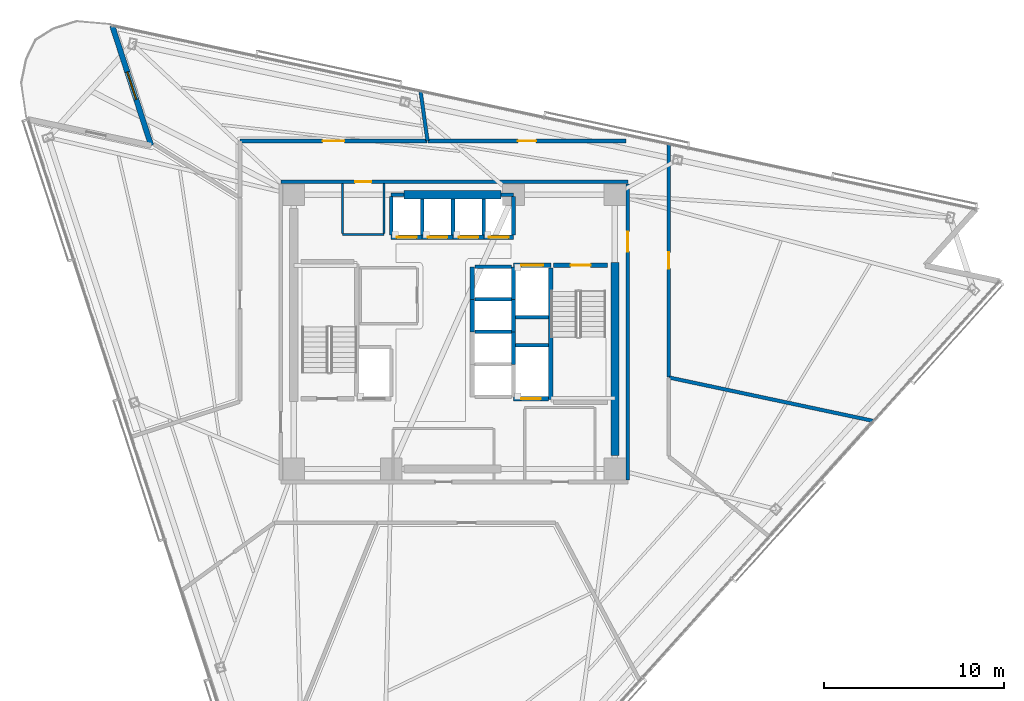
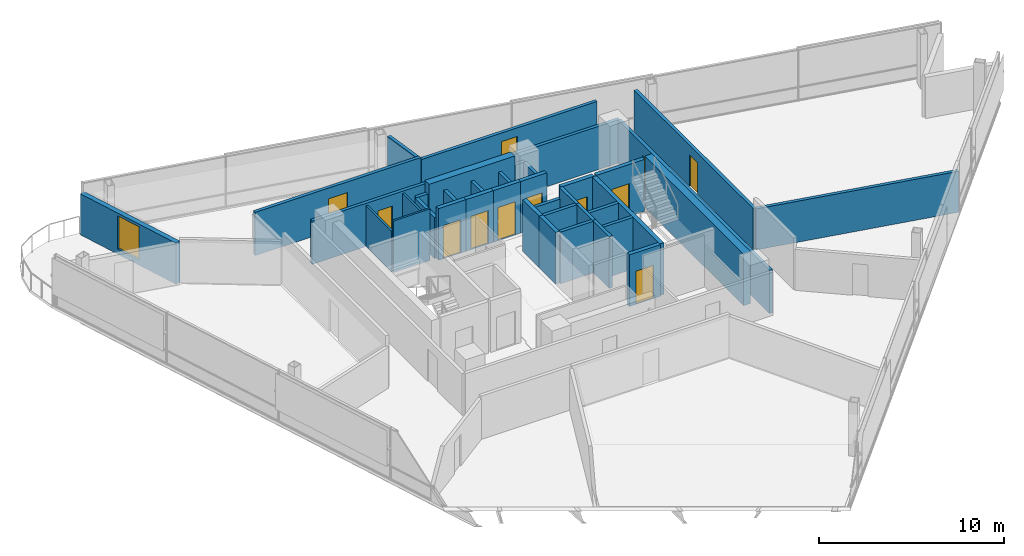
# One storey, part 11 of 17: 38 walls, 12 doors, 1 window, 13 openings.
"""IFC4 building model written with IfcOpenShell, lengths in metres."""

from ifc_helpers import new_model, si_unit, direction, frame, frame_2d, origin, place, context, subcontext, project, spatial, rectangle, extrude, material, layer, layer_set, type_object, element, fill, save


model = new_model("IFC4")

# Units and contexts
model_context = context("Model", 3, precision=1e-05, world=origin(), true_north=direction((0.0, 1.0)))
body_context = subcontext(model_context, "Body", "Model", "MODEL_VIEW")
ifc_project = project(units=[si_unit("LENGTHUNIT", "METRE"), si_unit("AREAUNIT", "SQUARE_METRE"), si_unit("VOLUMEUNIT", "CUBIC_METRE"), si_unit("PLANEANGLEUNIT", "RADIAN"), si_unit("MASSUNIT", "GRAM", prefix="KILO")], contexts=[model_context])

# Site, building, storey
site_placement = place(None, origin())
site = spatial("IfcSite", under=ifc_project, at=site_placement, CompositionType="ELEMENT")
building_placement = place(site_placement, origin())
building = spatial("IfcBuilding", under=site, at=building_placement, Name="Tharavind Bronze Gate", CompositionType="ELEMENT")
storey_placement = place(building_placement, frame((0.0, 0.0, 200.449951171875)))
storey = spatial("IfcBuildingStorey", under=building, at=storey_placement, Name="L51", CompositionType="ELEMENT", Elevation=200.449951171875)

# Wall, opening, window
ifc_material_1 = material(Name="Concrete C40/50", Category="concrete")
ifc_layer_1 = layer(ifc_material_1, 0.300048828125)
ifc_layer_set_1 = layer_set([ifc_layer_1], Name="Concrete C40/50")
wall_type_1 = type_object("IfcWallType", Name="EXTERIOR SPANDREL WALL 300", PredefinedType="STANDARD", material=ifc_layer_set_1)
wall_1_placement = place(storey_placement, frame((-18.959716796875, 16.967529296875, 0.0), z_axis=(0.0, 0.0, 1.0), x_axis=(0.309030708092, -0.951052060329, 0.0)))
wall_1 = element("IfcWall", 1, at=wall_1_placement, inside=storey, type_object=wall_type_1, Name="L51 notch cheek wall 1A", PredefinedType="STANDARD", context=body_context, shape_type="SweptSolid", body=[
    extrude(rectangle(XDim=6.979736328125, YDim=0.300048828125, at=frame_2d((3.48974609375, 0.0))), origin(), (0.0, 0.0, 1.0), 2.715087890625),
])
opening_1_placement = place(wall_1_placement, frame((2.68994140625, 0.0, 0.3349609375)))
opening_1 = element("IfcOpeningElement", 2, at=opening_1_placement, cuts=wall_1, Name="Opening W05", PredefinedType="OPENING", context=body_context, shape_type="SweptSolid", body=[
    extrude(rectangle(XDim=1.60009765625, YDim=2.199951171875, at=frame_2d((0.800048828125, 1.10009765625))), frame((0.0, 0.15990234375, 0.0), z_axis=(0.0, -1.0, 0.0), x_axis=(1.0, 0.0, 0.0)), (0.0, 0.0, 1.0), 0.320048828125),
])
ifc_material_2 = material(Name="Bronze Aluminium & Low-E Glass", Category="aluminium")
window_type = type_object("IfcWindowType", Name="OFFICE NOTCH BRONZE WINDOW 1600X2200", PartitioningType="DOUBLE_PANEL_VERTICAL", PredefinedType="WINDOW", material=ifc_material_2)
window_placement = place(opening_1_placement, origin())
window = element("IfcWindow", 3, at=window_placement, inside=storey, type_object=window_type, Name="L51 exterior window WL-L51-NCA1-01", OverallHeight=2.199951171875, OverallWidth=1.60009765625, PartitioningType="SINGLE_PANEL", PredefinedType="WINDOW", context=body_context, shape_type="SweptSolid", body=[
    extrude(rectangle(XDim=1.60009765625, YDim=2.199951171875, at=frame_2d((0.800048828125, 1.10009765625))), frame((0.0, 0.030029296875, 0.0), z_axis=(0.0, -1.0, 0.0), x_axis=(1.0, 0.0, 0.0)), (0.0, 0.0, 1.0), 0.06005859375),
])
fill(opening_1, window)

# Wall, opening, door
ifc_material_3 = material(Name="Aerated Concrete Block", Category="concrete")
ifc_layer_2 = layer(ifc_material_3, 0.199951171875)
ifc_layer_set_2 = layer_set([ifc_layer_2], Name="Aerated Concrete Block")
wall_type_2 = type_object("IfcWallType", Name="FIRE RATED PARTITION 200", PredefinedType="PARTITIONING", material=ifc_layer_set_2)
wall_2_placement = place(storey_placement, frame((9.6201171875, 8.320068359375, 0.0), z_axis=(0.0, 0.0, 1.0), x_axis=(-1.0, 0.0, 0.0)))
wall_2 = element("IfcWall", 4, at=wall_2_placement, inside=storey, type_object=wall_type_2, Name="L51 north core corridor wall", PredefinedType="PARTITIONING", context=body_context, shape_type="SweptSolid", body=[
    extrude(rectangle(XDim=19.240234375, YDim=0.199951171875, at=frame_2d((9.6201171875, 0.0))), origin(), (0.0, 0.0, 1.0), 2.864990234375),
])
opening_2_placement = place(wall_2_placement, frame((14.219970703125, 0.0, 0.0)))
opening_2 = element("IfcOpeningElement", 5, at=opening_2_placement, cuts=wall_2, Name="Opening ID07", PredefinedType="OPENING", context=body_context, shape_type="SweptSolid", body=[
    extrude(rectangle(XDim=0.89990234375, YDim=2.10009765625, at=frame_2d((0.449951171875, 1.050048828125))), frame((0.0, 0.11009765625, 0.0), z_axis=(0.0, -1.0, 0.0), x_axis=(1.0, 0.0, 0.0)), (0.0, 0.0, 1.0), 0.219951171875),
])
ifc_material_4 = material(Name="Galvanised Fire Steel", Category="steel")
door_type_1 = type_object("IfcDoorType", Name="PLANT AND RISER FIRE DOOR 900X2100", OperationType="SINGLE_SWING_LEFT", PredefinedType="DOOR", material=ifc_material_4)
door_1_placement = place(opening_2_placement, origin())
door_1 = element("IfcDoor", 6, at=door_1_placement, inside=storey, type_object=door_type_1, Name="L51 Electrical Switch Cupboard fire door", OperationType="SINGLE_SWING_LEFT", OverallHeight=2.10009765625, OverallWidth=0.89990234375, PredefinedType="DOOR", context=body_context, shape_type="SweptSolid", body=[
    extrude(rectangle(XDim=0.89990234375, YDim=2.10009765625, at=frame_2d((0.449951171875, 1.050048828125))), frame((0.0, 0.02490234375, 0.0), z_axis=(0.0, -1.0, 0.0), x_axis=(1.0, 0.0, 0.0)), (0.0, 0.0, 1.0), 0.050048828125),
])
fill(opening_2, door_1)

wall_3_placement = place(storey_placement, frame((9.6201171875, -8.199951171875, 0.0), z_axis=(0.0, 0.0, 1.0), x_axis=(0.0, 1.0, 0.0)))
wall_3 = element("IfcWall", 7, at=wall_3_placement, inside=storey, type_object=wall_type_2, Name="L51 east core corridor wall", PredefinedType="PARTITIONING", context=body_context, shape_type="SweptSolid", body=[
    extrude(rectangle(XDim=16.39990234375, YDim=0.199951171875, at=frame_2d((8.199951171875, 0.0))), origin(), (0.0, 0.0, 1.0), 2.864990234375),
])
opening_3_placement = place(wall_3_placement, frame((12.64990234375, 0.0, 0.0)))
opening_3 = element("IfcOpeningElement", 8, at=opening_3_placement, cuts=wall_3, Name="Opening ID01", PredefinedType="OPENING", context=body_context, shape_type="SweptSolid", body=[
    extrude(rectangle(XDim=1.10009765625, YDim=2.14990234375, at=frame_2d((0.550048828125, 1.074951171875))), frame((0.0, 0.11009765625, 0.0), z_axis=(0.0, -1.0, 0.0), x_axis=(1.0, 0.0, 0.0)), (0.0, 0.0, 1.0), 0.219951171875),
])
ifc_material_5 = material(Name="Fire-Rated Steel", Category="steel")
door_type_2 = type_object("IfcDoorType", Name="STAIR CORE FIRE DOOR 1100X2150", OperationType="SINGLE_SWING_LEFT", PredefinedType="DOOR", material=ifc_material_5)
door_2_placement = place(opening_3_placement, frame((1.10009765625, 0.0, 0.0), z_axis=(0.0, 0.0, 1.0), x_axis=(-1.0, 0.0, 0.0)))
door_2 = element("IfcDoor", 9, at=door_2_placement, inside=storey, type_object=door_type_2, Name="L51 north east stair lobby fire door", OperationType="SINGLE_SWING_LEFT", OverallHeight=2.14990234375, OverallWidth=1.10009765625, PredefinedType="DOOR", context=body_context, shape_type="SweptSolid", body=[
    extrude(rectangle(XDim=1.10009765625, YDim=2.14990234375, at=frame_2d((0.550048828125, 1.074951171875))), frame((0.0, 0.02490234375, 0.0), z_axis=(0.0, -1.0, 0.0), x_axis=(1.0, 0.0, 0.0)), (0.0, 0.0, 1.0), 0.050048828125),
])
fill(opening_3, door_2)

# Wall
wall_4_placement = place(storey_placement, frame((11.91015625, -2.531494140625, 0.0), z_axis=(0.0, 0.0, 1.0), x_axis=(0.978148872081, -0.207905709508, 0.0)))
element("IfcWall", 10, at=wall_4_placement, inside=storey, type_object=wall_type_2, Name="L51 Public Restrooms Block partition", PredefinedType="PARTITIONING", context=body_context, shape_type="SweptSolid", body=[
    extrude(rectangle(XDim=11.566650390625, YDim=0.199951171875, at=frame_2d((5.783203125, 0.0))), origin(), (0.0, 0.0, 1.0), 2.715087890625),
])

# Wall, opening, door
wall_5_placement = place(storey_placement, frame((9.51513671875, 10.580078125, 0.0), z_axis=(0.0, 0.0, 1.0), x_axis=(-1.0, 0.0, 0.0)))
wall_5 = element("IfcWall", 11, at=wall_5_placement, inside=storey, type_object=wall_type_2, Name="L51 Upper Zone Open Office partition", PredefinedType="PARTITIONING", context=body_context, shape_type="SweptSolid", body=[
    extrude(rectangle(XDim=10.980224609375, YDim=0.199951171875, at=frame_2d((5.490234375, 0.0))), origin(), (0.0, 0.0, 1.0), 2.715087890625),
])
opening_4_placement = place(wall_5_placement, frame((4.989990234375, 0.0, 0.0)))
opening_4 = element("IfcOpeningElement", 12, at=opening_4_placement, cuts=wall_5, Name="Opening ID04", PredefinedType="OPENING", context=body_context, shape_type="SweptSolid", body=[
    extrude(rectangle(XDim=1.0, YDim=2.14990234375, at=frame_2d((0.5, 1.074951171875))), frame((0.0, 0.11009765625, 0.0), z_axis=(0.0, -1.0, 0.0), x_axis=(1.0, 0.0, 0.0)), (0.0, 0.0, 1.0), 0.219951171875),
])
ifc_material_6 = material(Name="Bronze Framed Acoustic Timber", Category="wood")
door_type_3 = type_object("IfcDoorType", Name="OFFICE TENANCY DOOR 1000X2150", OperationType="SINGLE_SWING_RIGHT", PredefinedType="DOOR", material=ifc_material_6)
door_3_placement = place(opening_4_placement, origin())
door_3 = element("IfcDoor", 13, at=door_3_placement, inside=storey, type_object=door_type_3, Name="L51 Upper Zone Open Office door", OperationType="SINGLE_SWING_RIGHT", OverallHeight=2.14990234375, OverallWidth=1.0, PredefinedType="DOOR", context=body_context, shape_type="SweptSolid", body=[
    extrude(rectangle(XDim=1.0, YDim=2.14990234375, at=frame_2d((0.5, 1.074951171875))), frame((0.0, 0.02490234375, 0.0), z_axis=(0.0, -1.0, 0.0), x_axis=(1.0, 0.0, 0.0)), (0.0, 0.0, 1.0), 0.050048828125),
])
fill(opening_4, door_3)

# Wall
wall_6_placement = place(storey_placement, frame((-1.489990234375, 10.6015625, 0.0), z_axis=(0.0, 0.0, 1.0), x_axis=(-0.139168128583, 0.990268767551, 0.0)))
element("IfcWall", 14, at=wall_6_placement, inside=storey, type_object=wall_type_2, Name="L51 Upper Zone Open Office partition", PredefinedType="PARTITIONING", context=body_context, shape_type="SweptSolid", body=[
    extrude(rectangle(XDim=2.76123046875, YDim=0.199951171875, at=frame_2d((1.380615234375, 0.0))), origin(), (0.0, 0.0, 1.0), 2.715087890625),
])

# Wall, opening, door
wall_7_placement = place(storey_placement, frame((-1.515625, 10.580078125, 0.0), z_axis=(0.0, 0.0, 1.0), x_axis=(-1.0, 0.0, 0.0)))
wall_7 = element("IfcWall", 15, at=wall_7_placement, inside=storey, type_object=wall_type_2, Name="L51 Panoramic Boardroom partition", PredefinedType="PARTITIONING", context=body_context, shape_type="SweptSolid", body=[
    extrude(rectangle(XDim=10.36376953125, YDim=0.199951171875, at=frame_2d((5.181884765625, 0.0))), origin(), (0.0, 0.0, 1.0), 2.864990234375),
])
opening_5_placement = place(wall_7_placement, frame((4.58203125, 0.0, 0.0)))
opening_5 = element("IfcOpeningElement", 16, at=opening_5_placement, cuts=wall_7, Name="Opening ID05", PredefinedType="OPENING", context=body_context, shape_type="SweptSolid", body=[
    extrude(rectangle(XDim=1.199951171875, YDim=2.14990234375, at=frame_2d((0.60009765625, 1.074951171875))), frame((0.0, 0.11009765625, 0.0), z_axis=(0.0, -1.0, 0.0), x_axis=(1.0, 0.0, 0.0)), (0.0, 0.0, 1.0), 0.219951171875),
])
ifc_material_7 = material(Name="Acoustic Laminated Glass", Category="glass")
door_type_4 = type_object("IfcDoorType", Name="MEETING ROOM GLAZED DOOR 1200X2150", OperationType="SINGLE_SWING_LEFT", PredefinedType="DOOR", material=ifc_material_7)
door_4_placement = place(opening_5_placement, origin())
door_4 = element("IfcDoor", 17, at=door_4_placement, inside=storey, type_object=door_type_4, Name="L51 Panoramic Boardroom door", OperationType="SINGLE_SWING_LEFT", OverallHeight=2.14990234375, OverallWidth=1.199951171875, PredefinedType="DOOR", context=body_context, shape_type="SweptSolid", body=[
    extrude(rectangle(XDim=1.199951171875, YDim=2.14990234375, at=frame_2d((0.60009765625, 1.074951171875))), frame((0.0, 0.02490234375, 0.0), z_axis=(0.0, -1.0, 0.0), x_axis=(1.0, 0.0, 0.0)), (0.0, 0.0, 1.0), 0.050048828125),
])
fill(opening_5, door_4)

wall_8_placement = place(storey_placement, frame((11.8798828125, -2.5048828125, 0.0), z_axis=(0.0, 0.0, 1.0), x_axis=(0.0, 1.0, 0.0)))
wall_8 = element("IfcWall", 18, at=wall_8_placement, inside=storey, type_object=wall_type_2, Name="L51 Tea Pantry partition", PredefinedType="PARTITIONING", context=body_context, shape_type="SweptSolid", body=[
    extrude(rectangle(XDim=12.917236328125, YDim=0.199951171875, at=frame_2d((6.45849609375, 0.0))), origin(), (0.0, 0.0, 1.0), 2.715087890625),
])
opening_6_placement = place(wall_8_placement, frame((6.009033203125, 0.0, 0.0)))
opening_6 = element("IfcOpeningElement", 19, at=opening_6_placement, cuts=wall_8, Name="Opening ID07", PredefinedType="OPENING", context=body_context, shape_type="SweptSolid", body=[
    extrude(rectangle(XDim=0.89990234375, YDim=2.10009765625, at=frame_2d((0.449951171875, 1.050048828125))), frame((0.0, 0.11009765625, 0.0), z_axis=(0.0, -1.0, 0.0), x_axis=(1.0, 0.0, 0.0)), (0.0, 0.0, 1.0), 0.219951171875),
])
door_5_placement = place(opening_6_placement, origin())
door_5 = element("IfcDoor", 20, at=door_5_placement, inside=storey, type_object=door_type_1, Name="L51 Tea Pantry door", OperationType="SINGLE_SWING_LEFT", OverallHeight=2.10009765625, OverallWidth=0.89990234375, PredefinedType="DOOR", context=body_context, shape_type="SweptSolid", body=[
    extrude(rectangle(XDim=0.89990234375, YDim=2.10009765625, at=frame_2d((0.449951171875, 1.050048828125))), frame((0.0, 0.02490234375, 0.0), z_axis=(0.0, -1.0, 0.0), x_axis=(1.0, 0.0, 0.0)), (0.0, 0.0, 1.0), 0.050048828125),
])
fill(opening_6, door_5)

# Walls
ifc_material_8 = material(Name="Metal Stud Gypsum Partition", Category="gypsum")
ifc_layer_3 = layer(ifc_material_8, 0.1201171875)
ifc_layer_set_3 = layer_set([ifc_layer_3], Name="Metal Stud Gypsum Partition")
wall_type_3 = type_object("IfcWallType", Name="INTERIOR PARTITION WALL 120", PredefinedType="PARTITIONING", material=ifc_layer_set_3)
wall_9_placement = place(storey_placement, frame((-6.199951171875, 5.39990234375, 0.0), z_axis=(0.0, 0.0, 1.0), x_axis=(1.0, 0.0, 0.0)))
element("IfcWall", 21, at=wall_9_placement, inside=storey, type_object=wall_type_3, Name="L51 Electrical Switch Cupboard partition 1", PredefinedType="PARTITIONING", context=body_context, shape_type="SweptSolid", body=[
    extrude(rectangle(XDim=2.300048828125, YDim=0.1201171875, at=frame_2d((1.14990234375, 0.0))), origin(), (0.0, 0.0, 1.0), 3.420166015625),
])
for number, where, z_axis, x_axis, name in (
    (22, (-3.89990234375, 5.465087890625, 0.0), (0.0, 0.0, 1.0), (0.0, 1.0, 0.0), "L51 Electrical Switch Cupboard partition 2"),
    (23, (-6.199951171875, 8.215087890625, 0.0), (0.0, 0.0, 1.0), (0.0, -1.0, 0.0), "L51 Electrical Switch Cupboard partition 4"),
):
    element("IfcWall", number, at=place(storey_placement, frame(where, z_axis=z_axis, x_axis=x_axis)), inside=storey, type_object=wall_type_3, Name=name, PredefinedType="PARTITIONING", context=body_context, shape_type="SweptSolid", body=[
        extrude(rectangle(XDim=2.75, YDim=0.1201171875, at=frame_2d((1.375, 0.0))), origin(), (0.0, 0.0, 1.0), 2.715087890625),
    ])
ifc_material_9 = material(Name="Concrete C50/60", Category="concrete")
ifc_layer_4 = layer(ifc_material_9, 0.25)
ifc_layer_set_4 = layer_set([ifc_layer_4], Name="Concrete C50/60")
wall_type_4 = type_object("IfcWallType", Name="RC CORE SHEAR WALL 250", PredefinedType="SHEAR", material=ifc_layer_set_4)
wall_10_placement = place(storey_placement, frame((5.35009765625, -3.75, 0.0), z_axis=(0.0, 0.0, 1.0), x_axis=(0.0, 1.0, 0.0)))
element("IfcWall", 24, at=wall_10_placement, inside=storey, type_object=wall_type_4, Name="L51 ST2 shaft west wall", PredefinedType="SHEAR", context=body_context, shape_type="SweptSolid", body=[
    extrude(rectangle(XDim=7.300048828125, YDim=0.25, at=frame_2d((3.64990234375, 0.0))), origin(), (0.0, 0.0, 1.0), 3.420166015625),
])

# Wall, opening, door
wall_11_placement = place(storey_placement, frame((5.5, 3.699951171875, 0.0), z_axis=(0.0, 0.0, 1.0), x_axis=(1.0, 0.0, 0.0)))
wall_11 = element("IfcWall", 25, at=wall_11_placement, inside=storey, type_object=wall_type_4, Name="L51 ST2 shaft north wall", PredefinedType="SHEAR", context=body_context, shape_type="SweptSolid", body=[
    extrude(rectangle(XDim=3.0, YDim=0.25, at=frame_2d((1.5, 0.0))), origin(), (0.0, 0.0, 1.0), 3.420166015625),
])
opening_7_placement = place(wall_11_placement, frame((0.949951171875, 0.0, 0.0)))
opening_7 = element("IfcOpeningElement", 26, at=opening_7_placement, cuts=wall_11, Name="Opening ID01", PredefinedType="OPENING", context=body_context, shape_type="SweptSolid", body=[
    extrude(rectangle(XDim=1.10009765625, YDim=2.14990234375, at=frame_2d((0.550048828125, 1.074951171875))), frame((0.0, 0.135, 0.0), z_axis=(0.0, -1.0, 0.0), x_axis=(1.0, 0.0, 0.0)), (0.0, 0.0, 1.0), 0.27),
])
door_6_placement = place(opening_7_placement, frame((1.10009765625, 0.0, 0.0), z_axis=(0.0, 0.0, 1.0), x_axis=(-1.0, 0.0, 0.0)))
door_6 = element("IfcDoor", 27, at=door_6_placement, inside=storey, type_object=door_type_2, Name="L51 exit stair ST2 fire door", OperationType="SINGLE_SWING_LEFT", OverallHeight=2.14990234375, OverallWidth=1.10009765625, PredefinedType="DOOR", context=body_context, shape_type="SweptSolid", body=[
    extrude(rectangle(XDim=1.10009765625, YDim=2.14990234375, at=frame_2d((0.550048828125, 1.074951171875))), frame((0.0, 0.02490234375, 0.0), z_axis=(0.0, -1.0, 0.0), x_axis=(1.0, 0.0, 0.0)), (0.0, 0.0, 1.0), 0.050048828125),
])
fill(opening_7, door_6)

wall_12_placement = place(storey_placement, frame((-3.5, 5.25, 0.0), z_axis=(0.0, 0.0, 1.0), x_axis=(1.0, 0.0, 0.0)))
wall_12 = element("IfcWall", 28, at=wall_12_placement, inside=storey, type_object=wall_type_4, Name="L51 lift PL5 shaft front wall", PredefinedType="SHEAR", context=body_context, shape_type="SweptSolid", body=[
    extrude(rectangle(XDim=1.71240234375, YDim=0.25, at=frame_2d((0.856201171875, 0.0))), origin(), (0.0, 0.0, 1.0), 3.420166015625),
])
opening_8_placement = place(wall_12_placement, frame((0.305908203125, 0.0, 0.0)))
opening_8 = element("IfcOpeningElement", 29, at=opening_8_placement, cuts=wall_12, Name="Opening LD01", PredefinedType="OPENING", context=body_context, shape_type="SweptSolid", body=[
    extrude(rectangle(XDim=1.10009765625, YDim=2.199951171875, at=frame_2d((0.550048828125, 1.10009765625))), frame((0.0, 0.135, 0.0), z_axis=(0.0, -1.0, 0.0), x_axis=(1.0, 0.0, 0.0)), (0.0, 0.0, 1.0), 0.27),
])
ifc_material_10 = material(Name="Brushed Bronze Stainless Steel", Category="steel")
door_type_5 = type_object("IfcDoorType", Name="LIFT LANDING SLIDING DOOR 1100X2200", OperationType="SLIDING_TO_LEFT", PredefinedType="DOOR", material=ifc_material_10)
door_7_placement = place(opening_8_placement, origin())
door_7 = element("IfcDoor", 30, at=door_7_placement, inside=storey, type_object=door_type_5, Name="L51 lift PL5 sliding landing door", OperationType="SLIDING_TO_LEFT", OverallHeight=2.199951171875, OverallWidth=1.10009765625, PredefinedType="DOOR", context=body_context, shape_type="SweptSolid", body=[
    extrude(rectangle(XDim=1.10009765625, YDim=2.199951171875, at=frame_2d((0.550048828125, 1.10009765625))), frame((0.0, 0.02490234375, 0.0), z_axis=(0.0, -1.0, 0.0), x_axis=(1.0, 0.0, 0.0)), (0.0, 0.0, 1.0), 0.050048828125),
])
fill(opening_8, door_7)

wall_13_placement = place(storey_placement, frame((-1.78759765625, 5.25, 0.0), z_axis=(0.0, 0.0, 1.0), x_axis=(1.0, 0.0, 0.0)))
wall_13 = element("IfcWall", 31, at=wall_13_placement, inside=storey, type_object=wall_type_4, Name="L51 lift PL6 shaft front wall", PredefinedType="SHEAR", context=body_context, shape_type="SweptSolid", body=[
    extrude(rectangle(XDim=1.712646484375, YDim=0.25, at=frame_2d((0.8564453125, 0.0))), origin(), (0.0, 0.0, 1.0), 3.420166015625),
])
opening_9_placement = place(wall_13_placement, frame((0.305908203125, 0.0, 0.0)))
opening_9 = element("IfcOpeningElement", 32, at=opening_9_placement, cuts=wall_13, Name="Opening LD01", PredefinedType="OPENING", context=body_context, shape_type="SweptSolid", body=[
    extrude(rectangle(XDim=1.10009765625, YDim=2.199951171875, at=frame_2d((0.550048828125, 1.10009765625))), frame((0.0, 0.135, 0.0), z_axis=(0.0, -1.0, 0.0), x_axis=(1.0, 0.0, 0.0)), (0.0, 0.0, 1.0), 0.27),
])
door_8_placement = place(opening_9_placement, origin())
door_8 = element("IfcDoor", 33, at=door_8_placement, inside=storey, type_object=door_type_5, Name="L51 lift PL6 sliding landing door", OperationType="SLIDING_TO_LEFT", OverallHeight=2.199951171875, OverallWidth=1.10009765625, PredefinedType="DOOR", context=body_context, shape_type="SweptSolid", body=[
    extrude(rectangle(XDim=1.10009765625, YDim=2.199951171875, at=frame_2d((0.550048828125, 1.10009765625))), frame((0.0, 0.02490234375, 0.0), z_axis=(0.0, -1.0, 0.0), x_axis=(1.0, 0.0, 0.0)), (0.0, 0.0, 1.0), 0.050048828125),
])
fill(opening_9, door_8)

wall_14_placement = place(storey_placement, frame((-0.074951171875, 5.25, 0.0), z_axis=(0.0, 0.0, 1.0), x_axis=(1.0, 0.0, 0.0)))
wall_14 = element("IfcWall", 34, at=wall_14_placement, inside=storey, type_object=wall_type_4, Name="L51 lift PL7 shaft front wall", PredefinedType="SHEAR", context=body_context, shape_type="SweptSolid", body=[
    extrude(rectangle(XDim=1.71240234375, YDim=0.25, at=frame_2d((0.856201171875, 0.0))), origin(), (0.0, 0.0, 1.0), 3.420166015625),
])
opening_10_placement = place(wall_14_placement, frame((0.305908203125, 0.0, 0.0)))
opening_10 = element("IfcOpeningElement", 35, at=opening_10_placement, cuts=wall_14, Name="Opening LD01", PredefinedType="OPENING", context=body_context, shape_type="SweptSolid", body=[
    extrude(rectangle(XDim=1.10009765625, YDim=2.199951171875, at=frame_2d((0.550048828125, 1.10009765625))), frame((0.0, 0.135, 0.0), z_axis=(0.0, -1.0, 0.0), x_axis=(1.0, 0.0, 0.0)), (0.0, 0.0, 1.0), 0.27),
])
door_9_placement = place(opening_10_placement, origin())
door_9 = element("IfcDoor", 36, at=door_9_placement, inside=storey, type_object=door_type_5, Name="L51 lift PL7 sliding landing door", OperationType="SLIDING_TO_LEFT", OverallHeight=2.199951171875, OverallWidth=1.10009765625, PredefinedType="DOOR", context=body_context, shape_type="SweptSolid", body=[
    extrude(rectangle(XDim=1.10009765625, YDim=2.199951171875, at=frame_2d((0.550048828125, 1.10009765625))), frame((0.0, 0.02490234375, 0.0), z_axis=(0.0, -1.0, 0.0), x_axis=(1.0, 0.0, 0.0)), (0.0, 0.0, 1.0), 0.050048828125),
])
fill(opening_10, door_9)

wall_15_placement = place(storey_placement, frame((1.637451171875, 5.25, 0.0), z_axis=(0.0, 0.0, 1.0), x_axis=(1.0, 0.0, 0.0)))
wall_15 = element("IfcWall", 37, at=wall_15_placement, inside=storey, type_object=wall_type_4, Name="L51 lift PL8 shaft front wall", PredefinedType="SHEAR", context=body_context, shape_type="SweptSolid", body=[
    extrude(rectangle(XDim=1.642578125, YDim=0.25, at=frame_2d((0.8212890625, 0.0))), origin(), (0.0, 0.0, 1.0), 3.420166015625),
])
opening_11_placement = place(wall_15_placement, frame((0.27099609375, 0.0, 0.0)))
opening_11 = element("IfcOpeningElement", 38, at=opening_11_placement, cuts=wall_15, Name="Opening LD01", PredefinedType="OPENING", context=body_context, shape_type="SweptSolid", body=[
    extrude(rectangle(XDim=1.10009765625, YDim=2.199951171875, at=frame_2d((0.550048828125, 1.10009765625))), frame((0.0, 0.135, 0.0), z_axis=(0.0, -1.0, 0.0), x_axis=(1.0, 0.0, 0.0)), (0.0, 0.0, 1.0), 0.27),
])
door_10_placement = place(opening_11_placement, origin())
door_10 = element("IfcDoor", 39, at=door_10_placement, inside=storey, type_object=door_type_5, Name="L51 lift PL8 sliding landing door", OperationType="SLIDING_TO_LEFT", OverallHeight=2.199951171875, OverallWidth=1.10009765625, PredefinedType="DOOR", context=body_context, shape_type="SweptSolid", body=[
    extrude(rectangle(XDim=1.10009765625, YDim=2.199951171875, at=frame_2d((0.550048828125, 1.10009765625))), frame((0.0, 0.02490234375, 0.0), z_axis=(0.0, -1.0, 0.0), x_axis=(1.0, 0.0, 0.0)), (0.0, 0.0, 1.0), 0.050048828125),
])
fill(opening_11, door_10)

# Walls
for number, where, z_axis, x_axis, name in (
    (40, (1.0, 0.0, 0.0), (0.0, 0.0, 1.0), (0.0, 1.0, 0.0), "L51 lift PL11 shaft front wall"),
    (41, (1.0, 1.800048828125, 0.0), (0.0, 0.0, 1.0), (0.0, 1.0, 0.0), "L51 lift PL12 shaft front wall"),
):
    element("IfcWall", number, at=place(storey_placement, frame(where, z_axis=z_axis, x_axis=x_axis)), inside=storey, type_object=wall_type_4, Name=name, PredefinedType="SHEAR", context=body_context, shape_type="SweptSolid", body=[
        extrude(rectangle(XDim=1.800048828125, YDim=0.25, at=frame_2d((0.89990234375, 0.0))), origin(), (0.0, 0.0, 1.0), 3.420166015625),
    ])

# Wall, opening, door
wall_16_placement = place(storey_placement, frame((3.280029296875, 3.699951171875, 0.0), z_axis=(0.0, 0.0, 1.0), x_axis=(1.0, 0.0, 0.0)))
wall_16 = element("IfcWall", 42, at=wall_16_placement, inside=storey, type_object=wall_type_4, Name="L51 lift FFL2 shaft front wall", PredefinedType="SHEAR", context=body_context, shape_type="SweptSolid", body=[
    extrude(rectangle(XDim=2.070068359375, YDim=0.25, at=frame_2d((1.03515625, 0.0))), origin(), (0.0, 0.0, 1.0), 3.420166015625),
])
opening_12_placement = place(wall_16_placement, frame((0.43505859375, 0.0, 0.0)))
opening_12 = element("IfcOpeningElement", 43, at=opening_12_placement, cuts=wall_16, Name="Opening LD02", PredefinedType="OPENING", context=body_context, shape_type="SweptSolid", body=[
    extrude(rectangle(XDim=1.199951171875, YDim=2.199951171875, at=frame_2d((0.60009765625, 1.10009765625))), frame((0.0, 0.135, 0.0), z_axis=(0.0, -1.0, 0.0), x_axis=(1.0, 0.0, 0.0)), (0.0, 0.0, 1.0), 0.27),
])
ifc_material_11 = material(Name="Brushed Stainless Steel", Category="steel")
door_type_6 = type_object("IfcDoorType", Name="FIREFIGHTING LIFT LANDING DOOR 1200X2200", OperationType="SLIDING_TO_RIGHT", PredefinedType="DOOR", material=ifc_material_11)
door_11_placement = place(opening_12_placement, origin())
door_11 = element("IfcDoor", 44, at=door_11_placement, inside=storey, type_object=door_type_6, Name="L51 lift FFL2 sliding landing door", OperationType="SLIDING_TO_RIGHT", OverallHeight=2.199951171875, OverallWidth=1.199951171875, PredefinedType="DOOR", context=body_context, shape_type="SweptSolid", body=[
    extrude(rectangle(XDim=1.199951171875, YDim=2.199951171875, at=frame_2d((0.60009765625, 1.10009765625))), frame((0.0, 0.02490234375, 0.0), z_axis=(0.0, -1.0, 0.0), x_axis=(1.0, 0.0, 0.0)), (0.0, 0.0, 1.0), 0.050048828125),
])
fill(opening_12, door_11)

wall_17_placement = place(storey_placement, frame((3.280029296875, -3.699951171875, 0.0), z_axis=(0.0, 0.0, 1.0), x_axis=(1.0, 0.0, 0.0)))
wall_17 = element("IfcWall", 45, at=wall_17_placement, inside=storey, type_object=wall_type_4, Name="L51 lift SVL1 shaft front wall", PredefinedType="SHEAR", context=body_context, shape_type="SweptSolid", body=[
    extrude(rectangle(XDim=1.93994140625, YDim=0.25, at=frame_2d((0.969970703125, 0.0))), origin(), (0.0, 0.0, 1.0), 3.420166015625),
])
opening_13_placement = place(wall_17_placement, frame((0.419921875, 0.0, 0.0)))
opening_13 = element("IfcOpeningElement", 46, at=opening_13_placement, cuts=wall_17, Name="Opening LD01", PredefinedType="OPENING", context=body_context, shape_type="SweptSolid", body=[
    extrude(rectangle(XDim=1.10009765625, YDim=2.199951171875, at=frame_2d((0.550048828125, 1.10009765625))), frame((0.0, 0.135, 0.0), z_axis=(0.0, -1.0, 0.0), x_axis=(1.0, 0.0, 0.0)), (0.0, 0.0, 1.0), 0.27),
])
door_12_placement = place(opening_13_placement, origin())
door_12 = element("IfcDoor", 47, at=door_12_placement, inside=storey, type_object=door_type_5, Name="L51 lift SVL1 sliding landing door", OperationType="SLIDING_TO_LEFT", OverallHeight=2.199951171875, OverallWidth=1.10009765625, PredefinedType="DOOR", context=body_context, shape_type="SweptSolid", body=[
    extrude(rectangle(XDim=1.10009765625, YDim=2.199951171875, at=frame_2d((0.550048828125, 1.10009765625))), frame((0.0, 0.02490234375, 0.0), z_axis=(0.0, -1.0, 0.0), x_axis=(1.0, 0.0, 0.0)), (0.0, 0.0, 1.0), 0.050048828125),
])
fill(opening_13, door_12)

# Walls
ifc_material_12 = material(Name="Concrete C60/75", Category="concrete")
ifc_layer_5 = layer(ifc_material_12, 0.449951171875)
ifc_layer_set_5 = layer_set([ifc_layer_5], Name="Concrete C60/75")
wall_type_5 = type_object("IfcWallType", Name="RC CORE SHEAR WALL 450", PredefinedType="SHEAR", material=ifc_layer_set_5)
wall_18_placement = place(storey_placement, frame((-2.800048828125, 7.60009765625, 0.0), z_axis=(0.0, 0.0, 1.0), x_axis=(1.0, 0.0, 0.0)))
element("IfcWall", 48, at=wall_18_placement, inside=storey, type_object=wall_type_5, Name="L51 north core shear wall", PredefinedType="SHEAR", context=body_context, shape_type="SweptSolid", body=[
    extrude(rectangle(XDim=5.380126953125, YDim=0.449951171875, at=frame_2d((2.68994140625, 0.0))), origin(), (0.0, 0.0, 1.0), 3.420166015625),
])
wall_19_placement = place(storey_placement, frame((8.89990234375, -6.85009765625, 0.0), z_axis=(0.0, 0.0, 1.0), x_axis=(0.0, 1.0, 0.0)))
element("IfcWall", 49, at=wall_19_placement, inside=storey, type_object=wall_type_5, Name="L51 east core shear wall", PredefinedType="SHEAR", context=body_context, shape_type="SweptSolid", body=[
    extrude(rectangle(XDim=10.7001953125, YDim=0.449951171875, at=frame_2d((5.35009765625, 0.0))), origin(), (0.0, 0.0, 1.0), 3.420166015625),
])
ifc_layer_6 = layer(ifc_material_1, 0.199951171875)
ifc_layer_set_6 = layer_set([ifc_layer_6], Name="Concrete C40/50")
wall_type_6 = type_object("IfcWallType", Name="SHAFT ENCLOSURE WALL 200", PredefinedType="PARTITIONING", material=ifc_layer_set_6)
wall_20_placement = place(storey_placement, frame((-3.5, 7.60009765625, 0.0), z_axis=(0.0, 0.0, 1.0), x_axis=(1.0, 0.0, 0.0)))
element("IfcWall", 50, at=wall_20_placement, inside=storey, type_object=wall_type_6, Name="L51 lift PL5 shaft N enclosure wall", PredefinedType="PARTITIONING", context=body_context, shape_type="SweptSolid", body=[
    extrude(rectangle(XDim=0.699951171875, YDim=0.199951171875, at=frame_2d((0.35009765625, 0.0))), origin(), (0.0, 0.0, 1.0), 2.715087890625),
])
wall_21_placement = place(storey_placement, frame((-3.5, 5.3798828125, 0.0), z_axis=(0.0, 0.0, 1.0), x_axis=(0.0, 1.0, 0.0)))
element("IfcWall", 51, at=wall_21_placement, inside=storey, type_object=wall_type_6, Name="L51 lift PL5 shaft W enclosure wall", PredefinedType="PARTITIONING", context=body_context, shape_type="SweptSolid", body=[
    extrude(rectangle(XDim=2.115234375, YDim=0.199951171875, at=frame_2d((1.0576171875, 0.0))), origin(), (0.0, 0.0, 1.0), 2.715087890625),
])
for number, where, z_axis, x_axis, name in (
    (52, (-1.78759765625, 5.3798828125, 0.0), (0.0, 0.0, 1.0), (0.0, 1.0, 0.0), "L51 lift PL5 shaft E enclosure wall"),
    (53, (-0.074951171875, 5.3798828125, 0.0), (0.0, 0.0, 1.0), (0.0, 1.0, 0.0), "L51 lift PL6 shaft E enclosure wall"),
    (54, (1.637451171875, 5.3798828125, 0.0), (0.0, 0.0, 1.0), (0.0, 1.0, 0.0), "L51 lift PL7 shaft E enclosure wall"),
):
    element("IfcWall", number, at=place(storey_placement, frame(where, z_axis=z_axis, x_axis=x_axis)), inside=storey, type_object=wall_type_6, Name=name, PredefinedType="PARTITIONING", context=body_context, shape_type="SweptSolid", body=[
        extrude(rectangle(XDim=1.990234375, YDim=0.199951171875, at=frame_2d((0.9951171875, 0.0))), origin(), (0.0, 0.0, 1.0), 2.715087890625),
    ])
wall_22_placement = place(storey_placement, frame((2.580078125, 7.60009765625, 0.0), z_axis=(0.0, 0.0, 1.0), x_axis=(1.0, 0.0, 0.0)))
element("IfcWall", 55, at=wall_22_placement, inside=storey, type_object=wall_type_6, Name="L51 lift PL8 shaft N enclosure wall", PredefinedType="PARTITIONING", context=body_context, shape_type="SweptSolid", body=[
    extrude(rectangle(XDim=0.699951171875, YDim=0.199951171875, at=frame_2d((0.35009765625, 0.0))), origin(), (0.0, 0.0, 1.0), 2.715087890625),
])
wall_23_placement = place(storey_placement, frame((3.280029296875, 5.3798828125, 0.0), z_axis=(0.0, 0.0, 1.0), x_axis=(0.0, 1.0, 0.0)))
element("IfcWall", 56, at=wall_23_placement, inside=storey, type_object=wall_type_6, Name="L51 lift PL8 shaft E enclosure wall", PredefinedType="PARTITIONING", context=body_context, shape_type="SweptSolid", body=[
    extrude(rectangle(XDim=2.115234375, YDim=0.199951171875, at=frame_2d((1.0576171875, 0.0))), origin(), (0.0, 0.0, 1.0), 2.715087890625),
])
wall_24_placement = place(storey_placement, frame((3.280029296875, -1.800048828125, 0.0), z_axis=(0.0, 0.0, 1.0), x_axis=(0.0, 1.0, 0.0)))
element("IfcWall", 57, at=wall_24_placement, inside=storey, type_object=wall_type_6, Name="L51 lift PL10 shaft E enclosure wall", PredefinedType="PARTITIONING", context=body_context, shape_type="SweptSolid", body=[
    extrude(rectangle(XDim=1.800048828125, YDim=0.199951171875, at=frame_2d((0.89990234375, 0.0))), origin(), (0.0, 0.0, 1.0), 3.420166015625),
])
wall_25_placement = place(storey_placement, frame((1.1298828125, 0.0, 0.0), z_axis=(0.0, 0.0, 1.0), x_axis=(1.0, 0.0, 0.0)))
element("IfcWall", 58, at=wall_25_placement, inside=storey, type_object=wall_type_6, Name="L51 lift PL10 shaft N enclosure wall", PredefinedType="PARTITIONING", context=body_context, shape_type="SweptSolid", body=[
    extrude(rectangle(XDim=2.045166015625, YDim=0.199951171875, at=frame_2d((1.0224609375, 0.0))), origin(), (0.0, 0.0, 1.0), 3.420166015625),
])
wall_26_placement = place(storey_placement, frame((3.280029296875, 0.0, 0.0), z_axis=(0.0, 0.0, 1.0), x_axis=(0.0, 1.0, 0.0)))
element("IfcWall", 59, at=wall_26_placement, inside=storey, type_object=wall_type_6, Name="L51 lift PL11 shaft E enclosure wall", PredefinedType="PARTITIONING", context=body_context, shape_type="SweptSolid", body=[
    extrude(rectangle(XDim=1.800048828125, YDim=0.199951171875, at=frame_2d((0.89990234375, 0.0))), origin(), (0.0, 0.0, 1.0), 3.420166015625),
])
wall_27_placement = place(storey_placement, frame((1.1298828125, 1.800048828125, 0.0), z_axis=(0.0, 0.0, 1.0), x_axis=(1.0, 0.0, 0.0)))
element("IfcWall", 60, at=wall_27_placement, inside=storey, type_object=wall_type_6, Name="L51 lift PL11 shaft N enclosure wall", PredefinedType="PARTITIONING", context=body_context, shape_type="SweptSolid", body=[
    extrude(rectangle(XDim=2.045166015625, YDim=0.199951171875, at=frame_2d((1.0224609375, 0.0))), origin(), (0.0, 0.0, 1.0), 3.420166015625),
])
wall_28_placement = place(storey_placement, frame((3.280029296875, 1.800048828125, 0.0), z_axis=(0.0, 0.0, 1.0), x_axis=(0.0, 1.0, 0.0)))
element("IfcWall", 61, at=wall_28_placement, inside=storey, type_object=wall_type_6, Name="L51 lift PL12 shaft E enclosure wall", PredefinedType="PARTITIONING", context=body_context, shape_type="SweptSolid", body=[
    extrude(rectangle(XDim=1.800048828125, YDim=0.199951171875, at=frame_2d((0.89990234375, 0.0))), origin(), (0.0, 0.0, 1.0), 3.420166015625),
])
wall_29_placement = place(storey_placement, frame((1.1298828125, 3.60009765625, 0.0), z_axis=(0.0, 0.0, 1.0), x_axis=(1.0, 0.0, 0.0)))
element("IfcWall", 62, at=wall_29_placement, inside=storey, type_object=wall_type_6, Name="L51 lift PL12 shaft N enclosure wall", PredefinedType="PARTITIONING", context=body_context, shape_type="SweptSolid", body=[
    extrude(rectangle(XDim=2.045166015625, YDim=0.199951171875, at=frame_2d((1.0224609375, 0.0))), origin(), (0.0, 0.0, 1.0), 2.715087890625),
])
for number, where, z_axis, x_axis, name in (
    (63, (3.385009765625, 0.800048828125, 0.0), (0.0, 0.0, 1.0), (1.0, 0.0, 0.0), "L51 lift FFL2 shaft S enclosure wall"),
    (64, (3.385009765625, -0.75, 0.0), (0.0, 0.0, 1.0), (1.0, 0.0, 0.0), "L51 lift SVL1 shaft N enclosure wall"),
):
    element("IfcWall", number, at=place(storey_placement, frame(where, z_axis=z_axis, x_axis=x_axis)), inside=storey, type_object=wall_type_6, Name=name, PredefinedType="PARTITIONING", context=body_context, shape_type="SweptSolid", body=[
        extrude(rectangle(XDim=1.8349609375, YDim=0.199951171875, at=frame_2d((0.91748046875, 0.0))), origin(), (0.0, 0.0, 1.0), 3.420166015625),
    ])

save(model, "model.ifc")
